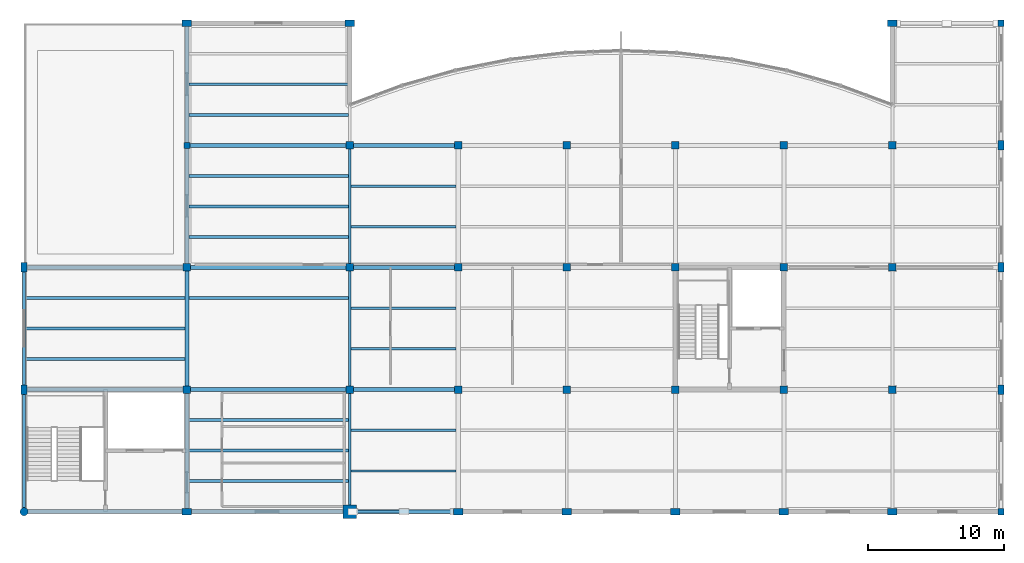
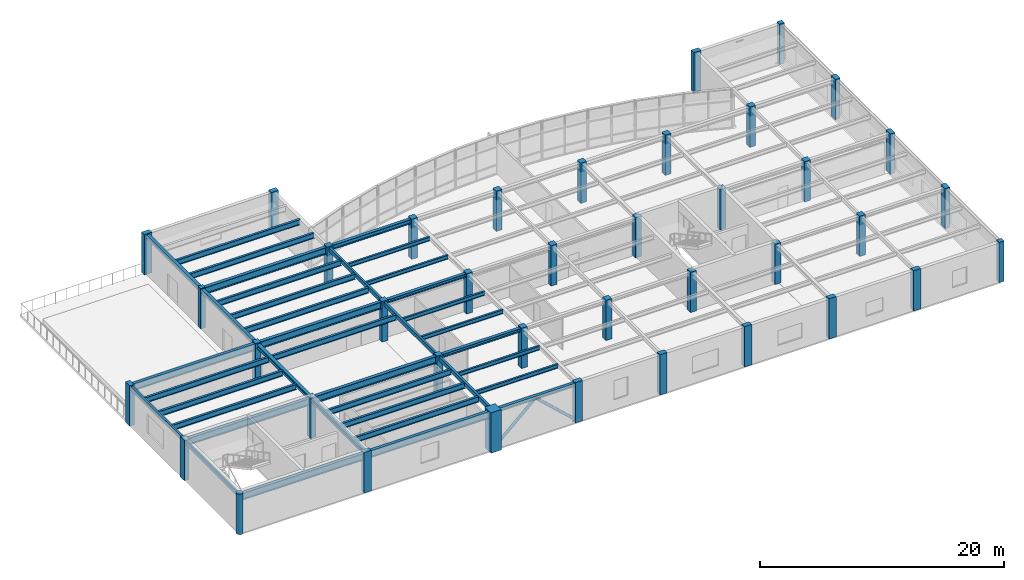
# One storey, part 1 of 12: 39 columns, 38 beams, 2 members.
"""IFC4 building model written with IfcOpenShell, lengths in metres."""

from ifc_helpers import new_model, si_unit, direction, frame, origin, origin_2d, place, context, subcontext, project, spatial, rectangle, hollow_rectangle, circle, hollow_circle, i_section, extrude, material, material_profile, profile_set, type_object, element, save


model = new_model("IFC4")

# Units and contexts
model_context = context("Model", 3, precision=1e-05, world=origin(), true_north=direction((0.0, 1.0)))
body_context = subcontext(model_context, "Body", "Model", "MODEL_VIEW")
ifc_project = project(units=[si_unit("LENGTHUNIT", "METRE"), si_unit("AREAUNIT", "SQUARE_METRE"), si_unit("VOLUMEUNIT", "CUBIC_METRE"), si_unit("PLANEANGLEUNIT", "RADIAN"), si_unit("MASSUNIT", "GRAM", prefix="KILO")], contexts=[model_context])

# Site, building, storey
site_placement = place(None, origin())
site = spatial("IfcSite", under=ifc_project, at=site_placement, CompositionType="ELEMENT")
building_placement = place(site_placement, origin())
building = spatial("IfcBuilding", under=site, at=building_placement, Name="Keelwater Ferry Terminal", CompositionType="ELEMENT")
storey_placement = place(building_placement, frame((0.0, 0.0, 19.5)))
storey = spatial("IfcBuildingStorey", under=building, at=storey_placement, Name="L04", CompositionType="ELEMENT", Elevation=19.5)

# Columns
ifc_material_1 = material(Name="Concrete C45/55", Category="concrete")
ifc_material_profile_1 = material_profile(ifc_material_1, rectangle(XDim=0.550048828125, YDim=0.550048828125, at=origin_2d()), Name="RC 550x550")
ifc_profile_set_1 = profile_set([ifc_material_profile_1], Name="Concrete C45/55")
column_type_1 = type_object("IfcColumnType", Name="C4 RC 550x550", PredefinedType="COLUMN", material=ifc_profile_set_1)
for number, where, z_axis, x_axis, name in (
    (1, (120.0, 99.0, 0.0), (0.0, 0.0, 1.0), (1.0, 0.0, 0.0), "Column CL-L04-0213"),
    (2, (120.0, 108.0, 0.0), (0.0, 0.0, 1.0), (1.0, 0.0, 0.0), "Column CL-L04-0219"),
    (3, (132.0, 99.0, 0.0), (0.0, 0.0, 1.0), (1.0, 0.0, 0.0), "Column CL-L04-0264"),
    (4, (132.0, 108.0, 0.0), (0.0, 0.0, 1.0), (1.0, 0.0, 0.0), "Column CL-L04-0270"),
    (5, (132.0, 117.0, 0.0), (0.0, 0.0, 1.0), (1.0, 0.0, 0.0), "Column CL-L04-0276"),
    (6, (140.0, 99.0, 0.0), (0.0, 0.0, 1.0), (1.0, 0.0, 0.0), "Column CL-L04-0316"),
    (7, (140.0, 108.0, 0.0), (0.0, 0.0, 1.0), (1.0, 0.0, 0.0), "Column CL-L04-0322"),
    (8, (140.0, 117.0, 0.0), (0.0, 0.0, 1.0), (1.0, 0.0, 0.0), "Column CL-L04-0328"),
    (9, (148.0, 99.0, 0.0), (0.0, 0.0, 1.0), (1.0, 0.0, 0.0), "Column CL-L04-0363"),
    (10, (148.0, 108.0, 0.0), (0.0, 0.0, 1.0), (1.0, 0.0, 0.0), "Column CL-L04-0369"),
    (11, (148.0, 117.0, 0.0), (0.0, 0.0, 1.0), (1.0, 0.0, 0.0), "Column CL-L04-0375"),
    (12, (156.0, 99.0, 0.0), (0.0, 0.0, 1.0), (1.0, 0.0, 0.0), "Column CL-L04-0402"),
    (13, (156.0, 108.0, 0.0), (0.0, 0.0, 1.0), (1.0, 0.0, 0.0), "Column CL-L04-0408"),
    (14, (156.0, 117.0, 0.0), (0.0, 0.0, 1.0), (1.0, 0.0, 0.0), "Column CL-L04-0414"),
    (15, (164.0, 99.0, 0.0), (0.0, 0.0, 1.0), (1.0, 0.0, 0.0), "Column CL-L04-0441"),
    (16, (164.0, 108.0, 0.0), (0.0, 0.0, 1.0), (1.0, 0.0, 0.0), "Column CL-L04-0447"),
    (17, (164.0, 117.0, 0.0), (0.0, 0.0, 1.0), (1.0, 0.0, 0.0), "Column CL-L04-0453"),
    (18, (172.0, 99.0, 0.0), (0.0, 0.0, 1.0), (1.0, 0.0, 0.0), "Column CL-L04-0474"),
    (19, (172.0, 108.0, 0.0), (0.0, 0.0, 1.0), (1.0, 0.0, 0.0), "Column CL-L04-0480"),
    (20, (172.0, 117.0, 0.0), (0.0, 0.0, 1.0), (1.0, 0.0, 0.0), "Column CL-L04-0486"),
):
    element("IfcColumn", number, at=place(storey_placement, frame(where, z_axis=z_axis, x_axis=x_axis)), inside=storey, type_object=column_type_1, Name=name, PredefinedType="COLUMN", context=body_context, shape_type="SweptSolid", body=[
        extrude(rectangle(XDim=0.550048828125, YDim=0.550048828125, at=origin_2d()), origin(), (0.0, 0.0, 1.0), 4.0400390625),
    ])
ifc_material_2 = material(Name="Concrete C45/55", Category="concrete")
ifc_material_profile_2 = material_profile(ifc_material_2, rectangle(XDim=0.449951171875, YDim=0.449951171875, at=origin_2d()), Name="RC 450x450")
ifc_profile_set_2 = profile_set([ifc_material_profile_2], Name="Concrete C45/55")
column_type_2 = type_object("IfcColumnType", Name="C5 RC 450x450", PredefinedType="COLUMN", material=ifc_profile_set_2)
column_1_placement = place(storey_placement, frame((120.0, 117.0, 0.0), z_axis=(0.0, 0.0, 1.0), x_axis=(1.0, 0.0, 0.0)))
element("IfcColumn", 21, at=column_1_placement, inside=storey, type_object=column_type_2, Name="Column CL-L04-0225", PredefinedType="COLUMN", context=body_context, shape_type="SweptSolid", body=[
    extrude(rectangle(XDim=0.449951171875, YDim=0.449951171875, at=origin_2d()), origin(), (0.0, 0.0, 1.0), 4.0400390625),
])
ifc_material_3 = material(Name="Concrete C45/55", Category="concrete")
ifc_material_profile_3 = material_profile(ifc_material_3, rectangle(XDim=0.449951171875, YDim=0.449951171875, at=origin_2d()), Name="RC 450x450")
ifc_profile_set_3 = profile_set([ifc_material_profile_3], Name="Concrete C45/55")
column_type_3 = type_object("IfcColumnType", Name="C5E RC 450x450", PredefinedType="COLUMN", material=ifc_profile_set_3)
for number, where, z_axis, x_axis, name in (
    (22, (180.0, 90.0, 0.0), (0.0, 0.0, 1.0), (1.0, 0.0, 0.0), "Column CL-L04-0506"),
    (23, (180.0, 126.0, 0.0), (0.0, 0.0, 1.0), (1.0, 0.0, 0.0), "Column CL-L04-0526"),
):
    element("IfcColumn", number, at=place(storey_placement, frame(where, z_axis=z_axis, x_axis=x_axis)), inside=storey, type_object=column_type_3, Name=name, PredefinedType="COLUMN", context=body_context, shape_type="SweptSolid", body=[
        extrude(rectangle(XDim=0.449951171875, YDim=0.449951171875, at=origin_2d()), origin(), (0.0, 0.0, 1.0), 4.0400390625),
    ])
ifc_material_4 = material(Name="Concrete C45/55", Category="concrete")
ifc_material_profile_4 = material_profile(ifc_material_4, circle(Radius=0.300048828125, at=origin_2d()), Name="RC D600")
ifc_profile_set_4 = profile_set([ifc_material_profile_4], Name="Concrete C45/55")
column_type_4 = type_object("IfcColumnType", Name="C7E RC D600", PredefinedType="COLUMN", material=ifc_profile_set_4)
column_2_placement = place(storey_placement, frame((108.0, 90.0, 0.0), z_axis=(0.0, 0.0, 1.0), x_axis=(1.0, 0.0, 0.0)))
element("IfcColumn", 24, at=column_2_placement, inside=storey, type_object=column_type_4, Name="Column CL-L04-0175", PredefinedType="COLUMN", context=body_context, shape_type="SweptSolid", body=[
    extrude(circle(Radius=0.300048828125, at=origin_2d()), origin(), (0.0, 0.0, 1.0), 4.0400390625),
])
ifc_material_5 = material(Name="Concrete C50/60", Category="concrete")
ifc_material_profile_5 = material_profile(ifc_material_5, rectangle(XDim=1.0, YDim=1.0, at=origin_2d()), Name="RC 1000x1000")
ifc_profile_set_5 = profile_set([ifc_material_profile_5], Name="Concrete C50/60")
column_type_5 = type_object("IfcColumnType", Name="MC1E RC 1000x1000", PredefinedType="COLUMN", material=ifc_profile_set_5)
column_3_placement = place(storey_placement, frame((132.0, 90.0, 0.0), z_axis=(0.0, 0.0, 1.0), x_axis=(1.0, 0.0, 0.0)))
element("IfcColumn", 25, at=column_3_placement, inside=storey, type_object=column_type_5, Name="Column CL-L04-0258", PredefinedType="COLUMN", context=body_context, shape_type="SweptSolid", body=[
    extrude(rectangle(XDim=1.0, YDim=1.0, at=origin_2d()), origin(), (0.0, 0.0, 1.0), 4.0400390625),
])
ifc_material_6 = material(Name="Concrete C45/55", Category="concrete")
ifc_material_profile_6 = material_profile(ifc_material_6, rectangle(XDim=0.449951171875, YDim=0.699951171875, at=origin_2d()), Name="RC 700x450")
ifc_profile_set_6 = profile_set([ifc_material_profile_6], Name="Concrete C45/55")
column_type_6 = type_object("IfcColumnType", Name="PL3E RC 700x450", PredefinedType="PILASTER", material=ifc_profile_set_6)
for number, where, z_axis, x_axis, name in (
    (26, (108.0, 99.0, 0.0), (0.0, 0.0, 1.0), (1.0, 0.0, 0.0), "Column CL-L04-0181"),
    (27, (108.0, 108.0, 0.0), (0.0, 0.0, 1.0), (1.0, 0.0, 0.0), "Column CL-L04-0187"),
    (28, (120.0, 90.0, 0.0), (0.0, 0.0, 1.0), (0.0, 1.0, 0.0), "Column CL-L04-0207"),
    (29, (120.0, 126.0, 0.0), (0.0, 0.0, 1.0), (0.0, 1.0, 0.0), "Column CL-L04-0230"),
    (30, (132.0, 126.0, 0.0), (0.0, 0.0, 1.0), (0.0, 1.0, 0.0), "Column CL-L04-0282"),
    (31, (140.0, 90.0, 0.0), (0.0, 0.0, 1.0), (0.0, 1.0, 0.0), "Column CL-L04-0310"),
    (32, (148.0, 90.0, 0.0), (0.0, 0.0, 1.0), (0.0, 1.0, 0.0), "Column CL-L04-0357"),
    (33, (156.0, 90.0, 0.0), (0.0, 0.0, 1.0), (0.0, 1.0, 0.0), "Column CL-L04-0396"),
    (34, (164.0, 90.0, 0.0), (0.0, 0.0, 1.0), (0.0, 1.0, 0.0), "Column CL-L04-0435"),
    (35, (172.0, 90.0, 0.0), (0.0, 0.0, 1.0), (0.0, 1.0, 0.0), "Column CL-L04-0468"),
    (36, (172.0, 126.0, 0.0), (0.0, 0.0, 1.0), (0.0, 1.0, 0.0), "Column CL-L04-0492"),
    (37, (180.0, 99.0, 0.0), (0.0, 0.0, 1.0), (1.0, 0.0, 0.0), "Column CL-L04-0511"),
    (38, (180.0, 108.0, 0.0), (0.0, 0.0, 1.0), (1.0, 0.0, 0.0), "Column CL-L04-0516"),
    (39, (180.0, 117.0, 0.0), (0.0, 0.0, 1.0), (1.0, 0.0, 0.0), "Column CL-L04-0521"),
):
    element("IfcColumn", number, at=place(storey_placement, frame(where, z_axis=z_axis, x_axis=x_axis)), inside=storey, type_object=column_type_6, Name=name, PredefinedType="PILASTER", context=body_context, shape_type="SweptSolid", body=[
        extrude(rectangle(XDim=0.449951171875, YDim=0.699951171875, at=origin_2d()), origin(), (0.0, 0.0, 1.0), 4.0400390625),
    ])

# Members
ifc_material_7 = material(Name="Steel S355", Category="steel")
ifc_material_profile_7 = material_profile(ifc_material_7, hollow_circle(Radius=0.136474609375, WallThickness=0.012451171875, at=origin_2d()), Name="CHS 273x12.5")
ifc_profile_set_7 = profile_set([ifc_material_profile_7], Name="Steel S355")
member_type = type_object("IfcMemberType", Name="BR2 CHS 273x12.5", PredefinedType="BRACE", material=ifc_profile_set_7)
for number, where, z_axis, x_axis, name in (
    (40, (132.0, 90.0, 0.0), (0.735020121009, 0.0, 0.678045294735), (0.0, 1.0, 0.0), "Structural Member MB-L04-0577"),
    (41, (140.0, 90.0, 0.0), (-0.735020121009, 0.0, 0.678045294735), (0.0, -1.0, 0.0), "Structural Member MB-L04-0578"),
):
    element("IfcMember", number, at=place(storey_placement, frame(where, z_axis=z_axis, x_axis=x_axis)), inside=storey, type_object=member_type, Name=name, PredefinedType="BRACE", context=body_context, shape_type="SweptSolid", body=[
        extrude(hollow_circle(Radius=0.136474609375, WallThickness=0.012451171875, at=origin_2d()), origin(), (0.0, 0.0, 1.0), 5.442138671875),
    ])

# Beams
ifc_material_8 = material(Name="Steel S355", Category="steel")
ifc_material_profile_8 = material_profile(ifc_material_8, i_section(OverallWidth=0.300048828125, OverallDepth=0.699951171875, WebThickness=0.01708984375, FlangeThickness=0.031982421875, at=origin_2d()), Name="HEB 700")
ifc_profile_set_8 = profile_set([ifc_material_profile_8], Name="Steel S355")
beam_type_1 = type_object("IfcBeamType", Name="G2 HEB 700", PredefinedType="BEAM", material=ifc_profile_set_8)
beam_1_placement = place(storey_placement, frame((120.219970703125, 117.0, 3.590087890625), z_axis=(1.0, 0.0, 0.0), x_axis=(0.0, 1.0, 0.0)))
element("IfcBeam", 42, at=beam_1_placement, inside=storey, type_object=beam_type_1, Name="Beam BM-L04-1478", PredefinedType="BEAM", context=body_context, shape_type="SweptSolid", body=[
    extrude(i_section(OverallWidth=0.300048828125, OverallDepth=0.699951171875, WebThickness=0.01708984375, FlangeThickness=0.031982421875, at=origin_2d()), origin(), (0.0, 0.0, 1.0), 11.510009765625),
])
ifc_material_9 = material(Name="Steel S355", Category="steel")
ifc_material_profile_9 = material_profile(ifc_material_9, i_section(OverallWidth=0.300048828125, OverallDepth=0.699951171875, WebThickness=0.01708984375, FlangeThickness=0.031982421875, at=origin_2d()), Name="HEB 700")
ifc_profile_set_9 = profile_set([ifc_material_profile_9], Name="Steel S355")
beam_type_2 = type_object("IfcBeamType", Name="G2E HEB 700", PredefinedType="BEAM", material=ifc_profile_set_9)
beam_2_placement = place(storey_placement, frame((108.24609375, 90.0, 3.590087890625), z_axis=(1.0, 0.0, 0.0), x_axis=(0.0, 1.0, 0.0)))
element("IfcBeam", 43, at=beam_2_placement, inside=storey, type_object=beam_type_2, Name="Beam BM-L04-1454", PredefinedType="BEAM", context=body_context, shape_type="SweptSolid", body=[
    extrude(i_section(OverallWidth=0.300048828125, OverallDepth=0.699951171875, WebThickness=0.01708984375, FlangeThickness=0.031982421875, at=origin_2d()), origin(), (0.0, 0.0, 1.0), 11.410888671875),
])
beam_3_placement = place(storey_placement, frame((120.343017578125, 90.0, 3.590087890625), z_axis=(1.0, 0.0, 0.0), x_axis=(0.0, 1.0, 0.0)))
element("IfcBeam", 44, at=beam_3_placement, inside=storey, type_object=beam_type_2, Name="Beam BM-L04-1455", PredefinedType="BEAM", context=body_context, shape_type="SweptSolid", body=[
    extrude(i_section(OverallWidth=0.300048828125, OverallDepth=0.699951171875, WebThickness=0.01708984375, FlangeThickness=0.031982421875, at=origin_2d()), origin(), (0.0, 0.0, 1.0), 11.1669921875),
])
beam_4_placement = place(storey_placement, frame((108.219970703125, 99.0, 3.590087890625), z_axis=(1.0, 0.0, 0.0), x_axis=(0.0, 1.0, 0.0)))
element("IfcBeam", 45, at=beam_4_placement, inside=storey, type_object=beam_type_2, Name="Beam BM-L04-1462", PredefinedType="BEAM", context=body_context, shape_type="SweptSolid", body=[
    extrude(i_section(OverallWidth=0.300048828125, OverallDepth=0.699951171875, WebThickness=0.01708984375, FlangeThickness=0.031982421875, at=origin_2d()), origin(), (0.0, 0.0, 1.0), 11.510009765625),
])
beam_5_placement = place(storey_placement, frame((120.27001953125, 99.0, 3.590087890625), z_axis=(1.0, 0.0, 0.0), x_axis=(0.0, 1.0, 0.0)))
element("IfcBeam", 46, at=beam_5_placement, inside=storey, type_object=beam_type_2, Name="Beam BM-L04-1463", PredefinedType="BEAM", context=body_context, shape_type="SweptSolid", body=[
    extrude(i_section(OverallWidth=0.300048828125, OverallDepth=0.699951171875, WebThickness=0.01708984375, FlangeThickness=0.031982421875, at=origin_2d()), origin(), (0.0, 0.0, 1.0), 11.4599609375),
])
beam_6_placement = place(storey_placement, frame((108.219970703125, 108.0, 3.590087890625), z_axis=(1.0, 0.0, 0.0), x_axis=(0.0, 1.0, 0.0)))
element("IfcBeam", 47, at=beam_6_placement, inside=storey, type_object=beam_type_2, Name="Beam BM-L04-1470", PredefinedType="BEAM", context=body_context, shape_type="SweptSolid", body=[
    extrude(i_section(OverallWidth=0.300048828125, OverallDepth=0.699951171875, WebThickness=0.01708984375, FlangeThickness=0.031982421875, at=origin_2d()), origin(), (0.0, 0.0, 1.0), 11.510009765625),
])
beam_7_placement = place(storey_placement, frame((120.27001953125, 108.0, 3.590087890625), z_axis=(1.0, 0.0, 0.0), x_axis=(0.0, 1.0, 0.0)))
element("IfcBeam", 48, at=beam_7_placement, inside=storey, type_object=beam_type_2, Name="Beam BM-L04-1471", PredefinedType="BEAM", context=body_context, shape_type="SweptSolid", body=[
    extrude(i_section(OverallWidth=0.300048828125, OverallDepth=0.699951171875, WebThickness=0.01708984375, FlangeThickness=0.031982421875, at=origin_2d()), origin(), (0.0, 0.0, 1.0), 11.4599609375),
])
ifc_material_10 = material(Name="Steel S355", Category="steel")
ifc_material_profile_10 = material_profile(ifc_material_10, i_section(OverallWidth=0.300048828125, OverallDepth=0.449951171875, WebThickness=0.013916015625, FlangeThickness=0.02587890625, at=origin_2d()), Name="HEB 450")
ifc_profile_set_10 = profile_set([ifc_material_profile_10], Name="Steel S355")
beam_type_3 = type_object("IfcBeamType", Name="G6 HEB 450", PredefinedType="BEAM", material=ifc_profile_set_10)
beam_8_placement = place(storey_placement, frame((132.27001953125, 117.0, 3.715087890625), z_axis=(1.0, 0.0, 0.0), x_axis=(0.0, 1.0, 0.0)))
element("IfcBeam", 49, at=beam_8_placement, inside=storey, type_object=beam_type_3, Name="Beam BM-L04-1479", PredefinedType="BEAM", context=body_context, shape_type="SweptSolid", body=[
    extrude(i_section(OverallWidth=0.300048828125, OverallDepth=0.449951171875, WebThickness=0.013916015625, FlangeThickness=0.02587890625, at=origin_2d()), origin(), (0.0, 0.0, 1.0), 7.4599609375),
])
ifc_material_11 = material(Name="Steel S355", Category="steel")
ifc_material_profile_11 = material_profile(ifc_material_11, i_section(OverallWidth=0.300048828125, OverallDepth=0.39990234375, WebThickness=0.013427734375, FlangeThickness=0.02392578125, at=origin_2d()), Name="HEB 400")
ifc_profile_set_11 = profile_set([ifc_material_profile_11], Name="Steel S355")
beam_type_4 = type_object("IfcBeamType", Name="G7 HEB 400", PredefinedType="BEAM", material=ifc_profile_set_11)
beam_9_placement = place(storey_placement, frame((120.0, 90.219970703125, 3.739990234375), z_axis=(0.0, 1.0, 0.0), x_axis=(-1.0, 0.0, 0.0)))
element("IfcBeam", 50, at=beam_9_placement, inside=storey, type_object=beam_type_4, Name="Beam BM-L04-1489", PredefinedType="BEAM", context=body_context, shape_type="SweptSolid", body=[
    extrude(i_section(OverallWidth=0.300048828125, OverallDepth=0.39990234375, WebThickness=0.013427734375, FlangeThickness=0.02392578125, at=origin_2d()), origin(), (0.0, 0.0, 1.0), 8.510009765625),
])
beam_10_placement = place(storey_placement, frame((120.0, 99.27001953125, 3.739990234375), z_axis=(0.0, 1.0, 0.0), x_axis=(-1.0, 0.0, 0.0)))
element("IfcBeam", 51, at=beam_10_placement, inside=storey, type_object=beam_type_4, Name="Beam BM-L04-1490", PredefinedType="BEAM", context=body_context, shape_type="SweptSolid", body=[
    extrude(i_section(OverallWidth=0.300048828125, OverallDepth=0.39990234375, WebThickness=0.013427734375, FlangeThickness=0.02392578125, at=origin_2d()), origin(), (0.0, 0.0, 1.0), 8.4599609375),
])
beam_11_placement = place(storey_placement, frame((120.0, 108.27001953125, 3.739990234375), z_axis=(0.0, 1.0, 0.0), x_axis=(-1.0, 0.0, 0.0)))
element("IfcBeam", 52, at=beam_11_placement, inside=storey, type_object=beam_type_4, Name="Beam BM-L04-1491", PredefinedType="BEAM", context=body_context, shape_type="SweptSolid", body=[
    extrude(i_section(OverallWidth=0.300048828125, OverallDepth=0.39990234375, WebThickness=0.013427734375, FlangeThickness=0.02392578125, at=origin_2d()), origin(), (0.0, 0.0, 1.0), 8.510009765625),
])
beam_12_placement = place(storey_placement, frame((120.0, 117.219970703125, 3.739990234375), z_axis=(0.0, 1.0, 0.0), x_axis=(-1.0, 0.0, 0.0)))
element("IfcBeam", 53, at=beam_12_placement, inside=storey, type_object=beam_type_4, Name="Beam BM-L04-1492", PredefinedType="BEAM", context=body_context, shape_type="SweptSolid", body=[
    extrude(i_section(OverallWidth=0.300048828125, OverallDepth=0.39990234375, WebThickness=0.013427734375, FlangeThickness=0.02392578125, at=origin_2d()), origin(), (0.0, 0.0, 1.0), 8.56005859375),
])
ifc_material_12 = material(Name="Steel S355", Category="steel")
ifc_material_profile_12 = material_profile(ifc_material_12, i_section(OverallWidth=0.2099609375, OverallDepth=0.550048828125, WebThickness=0.010986328125, FlangeThickness=0.01708984375, at=origin_2d()), Name="IPE 550")
ifc_profile_set_12 = profile_set([ifc_material_profile_12], Name="Steel S355")
beam_type_5 = type_object("IfcBeamType", Name="J2 IPE 550", PredefinedType="JOIST", material=ifc_profile_set_12)
for number, where, z_axis, x_axis, name in (
    (54, (108.10009765625, 101.25, 3.6650390625), (1.0, 0.0, 0.0), (0.0, 1.0, 0.0), "Beam BM-L04-1517"),
    (55, (108.10009765625, 103.5, 3.6650390625), (1.0, 0.0, 0.0), (0.0, 1.0, 0.0), "Beam BM-L04-1518"),
    (56, (108.10009765625, 105.75, 3.6650390625), (1.0, 0.0, 0.0), (0.0, 1.0, 0.0), "Beam BM-L04-1519"),
    (57, (120.14990234375, 92.25, 3.6650390625), (1.0, 0.0, 0.0), (0.0, 1.0, 0.0), "Beam BM-L04-1520"),
    (58, (120.14990234375, 94.5, 3.6650390625), (1.0, 0.0, 0.0), (0.0, 1.0, 0.0), "Beam BM-L04-1521"),
    (59, (120.14990234375, 96.75, 3.6650390625), (1.0, 0.0, 0.0), (0.0, 1.0, 0.0), "Beam BM-L04-1522"),
    (60, (120.14990234375, 105.75, 3.6650390625), (1.0, 0.0, 0.0), (0.0, 1.0, 0.0), "Beam BM-L04-1523"),
    (61, (120.14990234375, 110.25, 3.6650390625), (1.0, 0.0, 0.0), (0.0, 1.0, 0.0), "Beam BM-L04-1524"),
    (62, (120.14990234375, 112.5, 3.6650390625), (1.0, 0.0, 0.0), (0.0, 1.0, 0.0), "Beam BM-L04-1525"),
    (63, (120.14990234375, 114.75, 3.6650390625), (1.0, 0.0, 0.0), (0.0, 1.0, 0.0), "Beam BM-L04-1526"),
    (64, (120.14990234375, 119.25, 3.6650390625), (1.0, 0.0, 0.0), (0.0, 1.0, 0.0), "Beam BM-L04-1527"),
    (65, (120.14990234375, 121.5, 3.6650390625), (1.0, 0.0, 0.0), (0.0, 1.0, 0.0), "Beam BM-L04-1528"),
):
    element("IfcBeam", number, at=place(storey_placement, frame(where, z_axis=z_axis, x_axis=x_axis)), inside=storey, type_object=beam_type_5, Name=name, PredefinedType="JOIST", context=body_context, shape_type="SweptSolid", body=[
        extrude(i_section(OverallWidth=0.2099609375, OverallDepth=0.550048828125, WebThickness=0.010986328125, FlangeThickness=0.01708984375, at=origin_2d()), origin(), (0.0, 0.0, 1.0), 11.75),
    ])
ifc_material_13 = material(Name="Steel S355", Category="steel")
ifc_material_profile_13 = material_profile(ifc_material_13, i_section(OverallWidth=0.179931640625, OverallDepth=0.39990234375, WebThickness=0.008544921875, FlangeThickness=0.013427734375, at=origin_2d()), Name="IPE 400")
ifc_profile_set_13 = profile_set([ifc_material_profile_13], Name="Steel S355")
beam_type_6 = type_object("IfcBeamType", Name="J5 IPE 400", PredefinedType="JOIST", material=ifc_profile_set_13)
for number, where, z_axis, x_axis, name in (
    (66, (132.10009765625, 93.0, 3.739990234375), (1.0, 0.0, 0.0), (0.0, 1.0, 0.0), "Beam BM-L04-1530"),
    (67, (132.10009765625, 96.0, 3.739990234375), (1.0, 0.0, 0.0), (0.0, 1.0, 0.0), "Beam BM-L04-1531"),
    (68, (132.10009765625, 102.0, 3.739990234375), (1.0, 0.0, 0.0), (0.0, 1.0, 0.0), "Beam BM-L04-1532"),
    (69, (132.10009765625, 105.0, 3.739990234375), (1.0, 0.0, 0.0), (0.0, 1.0, 0.0), "Beam BM-L04-1533"),
    (70, (132.10009765625, 111.0, 3.739990234375), (1.0, 0.0, 0.0), (0.0, 1.0, 0.0), "Beam BM-L04-1534"),
    (71, (132.10009765625, 114.0, 3.739990234375), (1.0, 0.0, 0.0), (0.0, 1.0, 0.0), "Beam BM-L04-1535"),
):
    element("IfcBeam", number, at=place(storey_placement, frame(where, z_axis=z_axis, x_axis=x_axis)), inside=storey, type_object=beam_type_6, Name=name, PredefinedType="JOIST", context=body_context, shape_type="SweptSolid", body=[
        extrude(i_section(OverallWidth=0.179931640625, OverallDepth=0.39990234375, WebThickness=0.008544921875, FlangeThickness=0.013427734375, at=origin_2d()), origin(), (0.0, 0.0, 1.0), 7.75),
    ])
ifc_material_14 = material(Name="Steel S355", Category="steel")
ifc_material_profile_14 = material_profile(ifc_material_14, i_section(OverallWidth=0.300048828125, OverallDepth=0.35009765625, WebThickness=0.010009765625, FlangeThickness=0.017578125, at=origin_2d()), Name="HEA 360")
ifc_profile_set_14 = profile_set([ifc_material_profile_14], Name="Steel S355")
beam_type_7 = type_object("IfcBeamType", Name="SP1E HEA 360", PredefinedType="SPANDREL", material=ifc_profile_set_14)
beam_13_placement = place(storey_placement, frame((132.489990234375, 90.0, 3.764892578125), z_axis=(1.0, 0.0, 0.0), x_axis=(0.0, 1.0, 0.0)))
element("IfcBeam", 72, at=beam_13_placement, inside=storey, type_object=beam_type_7, Name="Beam BM-L04-1456", PredefinedType="SPANDREL", context=body_context, shape_type="SweptSolid", body=[
    extrude(i_section(OverallWidth=0.300048828125, OverallDepth=0.35009765625, WebThickness=0.010009765625, FlangeThickness=0.017578125, at=origin_2d()), origin(), (0.0, 0.0, 1.0), 7.1669921875),
])
for number, where, z_axis, x_axis, name in (
    (73, (132.27001953125, 99.0, 3.764892578125), (1.0, 0.0, 0.0), (0.0, 1.0, 0.0), "Beam BM-L04-1464"),
    (74, (132.27001953125, 108.0, 3.764892578125), (1.0, 0.0, 0.0), (0.0, 1.0, 0.0), "Beam BM-L04-1472"),
):
    element("IfcBeam", number, at=place(storey_placement, frame(where, z_axis=z_axis, x_axis=x_axis)), inside=storey, type_object=beam_type_7, Name=name, PredefinedType="SPANDREL", context=body_context, shape_type="SweptSolid", body=[
        extrude(i_section(OverallWidth=0.300048828125, OverallDepth=0.35009765625, WebThickness=0.010009765625, FlangeThickness=0.017578125, at=origin_2d()), origin(), (0.0, 0.0, 1.0), 7.4599609375),
    ])
ifc_material_15 = material(Name="Steel S355", Category="steel")
ifc_material_profile_15 = material_profile(ifc_material_15, hollow_rectangle(XDim=0.199951171875, YDim=0.39990234375, WallThickness=0.01611328125, at=origin_2d()), Name="RHS 400x200x16")
ifc_profile_set_15 = profile_set([ifc_material_profile_15], Name="Steel S355")
beam_type_8 = type_object("IfcBeamType", Name="SP3E RHS 400x200x16", PredefinedType="SPANDREL", material=ifc_profile_set_15)
beam_14_placement = place(storey_placement, frame((108.0, 90.24609375, 3.739990234375), z_axis=(0.0, 1.0, 0.0), x_axis=(-1.0, 0.0, 0.0)))
element("IfcBeam", 75, at=beam_14_placement, inside=storey, type_object=beam_type_8, Name="Beam BM-L04-1487", PredefinedType="SPANDREL", context=body_context, shape_type="SweptSolid", body=[
    extrude(hollow_rectangle(XDim=0.199951171875, YDim=0.39990234375, WallThickness=0.01611328125, at=origin_2d()), origin(), (0.0, 0.0, 1.0), 8.410888671875),
])
beam_15_placement = place(storey_placement, frame((108.0, 99.343017578125, 3.739990234375), z_axis=(0.0, 1.0, 0.0), x_axis=(-1.0, 0.0, 0.0)))
element("IfcBeam", 76, at=beam_15_placement, inside=storey, type_object=beam_type_8, Name="Beam BM-L04-1488", PredefinedType="SPANDREL", context=body_context, shape_type="SweptSolid", body=[
    extrude(hollow_rectangle(XDim=0.199951171875, YDim=0.39990234375, WallThickness=0.01611328125, at=origin_2d()), origin(), (0.0, 0.0, 1.0), 8.31396484375),
])
beam_16_placement = place(storey_placement, frame((132.0, 90.489990234375, 3.739990234375), z_axis=(0.0, 1.0, 0.0), x_axis=(-1.0, 0.0, 0.0)))
element("IfcBeam", 77, at=beam_16_placement, inside=storey, type_object=beam_type_8, Name="Beam BM-L04-1493", PredefinedType="SPANDREL", context=body_context, shape_type="SweptSolid", body=[
    extrude(hollow_rectangle(XDim=0.199951171875, YDim=0.39990234375, WallThickness=0.01611328125, at=origin_2d()), origin(), (0.0, 0.0, 1.0), 8.239990234375),
])
for number, where, z_axis, x_axis, name in (
    (78, (132.0, 99.27001953125, 3.739990234375), (0.0, 1.0, 0.0), (-1.0, 0.0, 0.0), "Beam BM-L04-1494"),
    (79, (132.0, 108.27001953125, 3.739990234375), (0.0, 1.0, 0.0), (-1.0, 0.0, 0.0), "Beam BM-L04-1495"),
):
    element("IfcBeam", number, at=place(storey_placement, frame(where, z_axis=z_axis, x_axis=x_axis)), inside=storey, type_object=beam_type_8, Name=name, PredefinedType="SPANDREL", context=body_context, shape_type="SweptSolid", body=[
        extrude(hollow_rectangle(XDim=0.199951171875, YDim=0.39990234375, WallThickness=0.01611328125, at=origin_2d()), origin(), (0.0, 0.0, 1.0), 8.4599609375),
    ])

save(model, "model.ifc")
